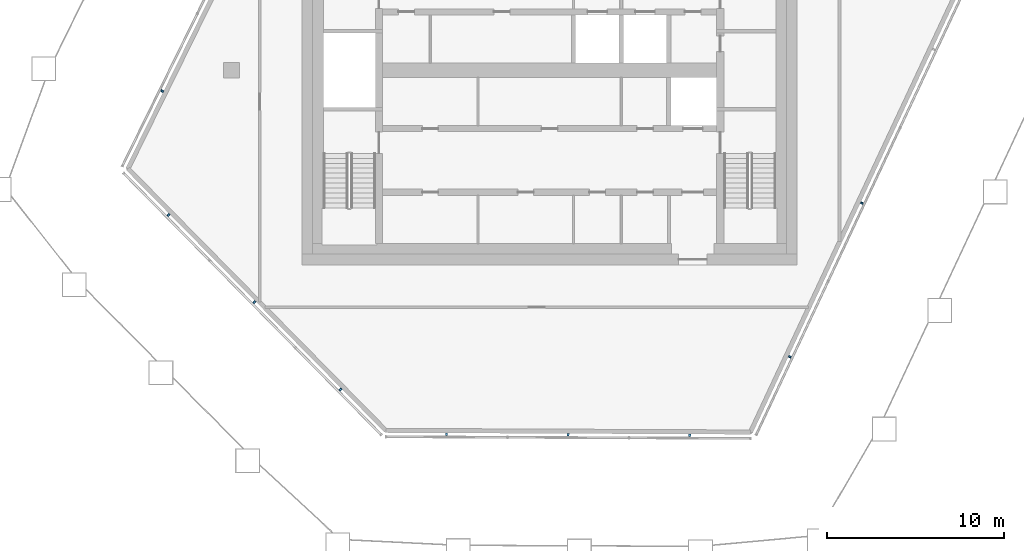
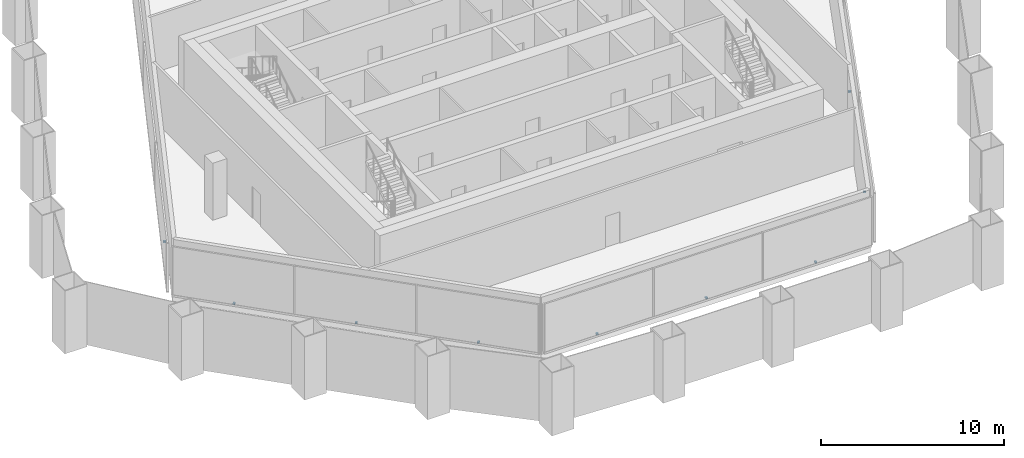
# One storey, part 10 of 18: 9 discrete accessories, 4 elements without a shape of their own.
"""IFC4 building model written with IfcOpenShell, lengths in metres."""

from ifc_helpers import new_model, si_unit, direction, frame, origin, origin_2d, place, context, subcontext, project, spatial, rectangle, extrude, material, layer, layer_set, type_object, element, aggregate, save


model = new_model("IFC4")

# Units and contexts
model_context = context("Model", 3, precision=1e-05, world=origin(), true_north=direction((0.0, 1.0)))
body_context = subcontext(model_context, "Body", "Model", "MODEL_VIEW")
ifc_project = project(units=[si_unit("LENGTHUNIT", "METRE"), si_unit("AREAUNIT", "SQUARE_METRE"), si_unit("VOLUMEUNIT", "CUBIC_METRE"), si_unit("PLANEANGLEUNIT", "RADIAN"), si_unit("MASSUNIT", "GRAM", prefix="KILO")], contexts=[model_context])

# Site, building, storey
site_placement = place(None, origin())
site = spatial("IfcSite", under=ifc_project, at=site_placement, CompositionType="ELEMENT")
building_placement = place(site_placement, origin())
building = spatial("IfcBuilding", under=site, at=building_placement, Name="Dongbaek Canopy Tower", CompositionType="ELEMENT")
storey_placement = place(building_placement, frame((0.0, 0.0, 363.199951171875)))
storey = spatial("IfcBuildingStorey", under=building, at=storey_placement, Name="L78", CompositionType="ELEMENT", Elevation=363.199951171875)

# Curtain wall, discrete accessories
ifc_material_1 = material(Name="Aluminium 6063-T6 pale anodised", Category="aluminium")
ifc_layer = layer(ifc_material_1, 0.14990234375)
ifc_layer_set = layer_set([ifc_layer], Name="CW-7 louvre curtain wall")
curtain_wall_type = type_object("IfcCurtainWallType", Name="CW-7 louvre curtain wall", PredefinedType="NOTDEFINED", material=ifc_layer_set)
curtain_wall_1_placement = place(storey_placement, origin())
curtain_wall_1 = element("IfcCurtainWall", 1, at=curtain_wall_1_placement, inside=storey, type_object=curtain_wall_type, Name="CW-7 louvre wall L78 F0", PredefinedType="NOTDEFINED")
ifc_material_2 = material(Name="Galvanised steel S355 bracket", Category="steel")
discrete_accessory_type = type_object("IfcDiscreteAccessoryType", Name="Louvre bracket BR1", PredefinedType="BRACKET", material=ifc_material_2)
discrete_accessory_1_placement = place(storey_placement, frame((-5.827880859375, -20.592041015625, 0.18994140625), z_axis=(0.0, 0.0, 1.0), x_axis=(0.999990026762, -0.004466136555, 0.0)))
discrete_accessory_1 = element("IfcDiscreteAccessory", 2, at=discrete_accessory_1_placement, type_object=discrete_accessory_type, Name="Louvre bracket L78 F0.1.1", PredefinedType="BRACKET", context=body_context, shape_type="SweptSolid", body=[
    extrude(rectangle(XDim=0.1201171875, YDim=0.14990234375, at=origin_2d()), origin(), (0.0, 0.0, 1.0), 0.10009765625),
])
discrete_accessory_2_placement = place(storey_placement, frame((1.050048828125, -20.622802734375, 0.18994140625), z_axis=(0.0, 0.0, 1.0), x_axis=(0.999990026762, -0.004466136555, 0.0)))
discrete_accessory_2 = element("IfcDiscreteAccessory", 3, at=discrete_accessory_2_placement, type_object=discrete_accessory_type, Name="Louvre bracket L78 F0.1.2", PredefinedType="BRACKET", context=body_context, shape_type="SweptSolid", body=[
    extrude(rectangle(XDim=0.1201171875, YDim=0.14990234375, at=origin_2d()), origin(), (0.0, 0.0, 1.0), 0.10009765625),
])
discrete_accessory_3_placement = place(storey_placement, frame((7.927734375, -20.6533203125, 0.18994140625), z_axis=(0.0, 0.0, 1.0), x_axis=(0.999990026762, -0.004466136555, 0.0)))
discrete_accessory_3 = element("IfcDiscreteAccessory", 4, at=discrete_accessory_3_placement, type_object=discrete_accessory_type, Name="Louvre bracket L78 F0.1.3", PredefinedType="BRACKET", context=body_context, shape_type="SweptSolid", body=[
    extrude(rectangle(XDim=0.1201171875, YDim=0.14990234375, at=origin_2d()), origin(), (0.0, 0.0, 1.0), 0.10009765625),
])
aggregate(curtain_wall_1, [discrete_accessory_1, discrete_accessory_2, discrete_accessory_3])

curtain_wall_2_placement = place(storey_placement, origin())
curtain_wall_2 = element("IfcCurtainWall", 5, at=curtain_wall_2_placement, inside=storey, type_object=curtain_wall_type, Name="CW-7 louvre wall L78 F1", PredefinedType="NOTDEFINED")
discrete_accessory_4_placement = place(storey_placement, frame((13.58447265625, -16.20654296875, 0.18994140625), z_axis=(0.0, 0.0, 1.0), x_axis=(0.42412286138, 0.905604659029, 0.0)))
discrete_accessory_4 = element("IfcDiscreteAccessory", 6, at=discrete_accessory_4_placement, type_object=discrete_accessory_type, Name="Louvre bracket L78 F1.1.1", PredefinedType="BRACKET", context=body_context, shape_type="SweptSolid", body=[
    extrude(rectangle(XDim=0.1201171875, YDim=0.14990234375, at=origin_2d()), origin(), (0.0, 0.0, 1.0), 0.10009765625),
])
discrete_accessory_5_placement = place(storey_placement, frame((17.65625, -7.51220703125, 0.18994140625), z_axis=(0.0, 0.0, 1.0), x_axis=(0.42412286138, 0.905604659029, 0.0)))
discrete_accessory_5 = element("IfcDiscreteAccessory", 7, at=discrete_accessory_5_placement, type_object=discrete_accessory_type, Name="Louvre bracket L78 F1.1.2", PredefinedType="BRACKET", context=body_context, shape_type="SweptSolid", body=[
    extrude(rectangle(XDim=0.1201171875, YDim=0.14990234375, at=origin_2d()), origin(), (0.0, 0.0, 1.0), 0.10009765625),
])
aggregate(curtain_wall_2, [discrete_accessory_4, discrete_accessory_5])

# Curtain wall, discrete accessory
curtain_wall_3_placement = place(storey_placement, origin())
curtain_wall_3 = element("IfcCurtainWall", 8, at=curtain_wall_3_placement, inside=storey, type_object=curtain_wall_type, Name="CW-7 louvre wall L78 F4", PredefinedType="NOTDEFINED")
discrete_accessory_6_placement = place(storey_placement, frame((-21.911865234375, -1.171875, 0.18994140625), z_axis=(0.0, 0.0, 1.0), x_axis=(-0.441341619439, -0.897339163834, 0.0)))
discrete_accessory_6 = element("IfcDiscreteAccessory", 9, at=discrete_accessory_6_placement, type_object=discrete_accessory_type, Name="Louvre bracket L78 F4.1.3", PredefinedType="BRACKET", context=body_context, shape_type="SweptSolid", body=[
    extrude(rectangle(XDim=0.1201171875, YDim=0.14990234375, at=origin_2d()), origin(), (0.0, 0.0, 1.0), 0.10009765625),
])
aggregate(curtain_wall_3, [discrete_accessory_6])

# Curtain wall, discrete accessories
curtain_wall_4_placement = place(storey_placement, origin())
curtain_wall_4 = element("IfcCurtainWall", 10, at=curtain_wall_4_placement, inside=storey, type_object=curtain_wall_type, Name="CW-7 louvre wall L78 F5", PredefinedType="NOTDEFINED")
discrete_accessory_7_placement = place(storey_placement, frame((-21.562744140625, -8.176513671875, 0.18994140625), z_axis=(0.0, 0.0, 1.0), x_axis=(0.70171826998, -0.712454538603, 0.0)))
discrete_accessory_7 = element("IfcDiscreteAccessory", 11, at=discrete_accessory_7_placement, type_object=discrete_accessory_type, Name="Louvre bracket L78 F5.1.1", PredefinedType="BRACKET", context=body_context, shape_type="SweptSolid", body=[
    extrude(rectangle(XDim=0.1201171875, YDim=0.14990234375, at=origin_2d()), origin(), (0.0, 0.0, 1.0), 0.10009765625),
])
discrete_accessory_8_placement = place(storey_placement, frame((-16.700927734375, -13.11279296875, 0.18994140625), z_axis=(0.0, 0.0, 1.0), x_axis=(0.70171826998, -0.712454538603, 0.0)))
discrete_accessory_8 = element("IfcDiscreteAccessory", 12, at=discrete_accessory_8_placement, type_object=discrete_accessory_type, Name="Louvre bracket L78 F5.1.2", PredefinedType="BRACKET", context=body_context, shape_type="SweptSolid", body=[
    extrude(rectangle(XDim=0.1201171875, YDim=0.14990234375, at=origin_2d()), origin(), (0.0, 0.0, 1.0), 0.10009765625),
])
discrete_accessory_9_placement = place(storey_placement, frame((-11.839111328125, -18.048828125, 0.18994140625), z_axis=(0.0, 0.0, 1.0), x_axis=(0.70171826998, -0.712454538603, 0.0)))
discrete_accessory_9 = element("IfcDiscreteAccessory", 13, at=discrete_accessory_9_placement, type_object=discrete_accessory_type, Name="Louvre bracket L78 F5.1.3", PredefinedType="BRACKET", context=body_context, shape_type="SweptSolid", body=[
    extrude(rectangle(XDim=0.1201171875, YDim=0.14990234375, at=origin_2d()), origin(), (0.0, 0.0, 1.0), 0.10009765625),
])
aggregate(curtain_wall_4, [discrete_accessory_7, discrete_accessory_8, discrete_accessory_9])

save(model, "model.ifc")
